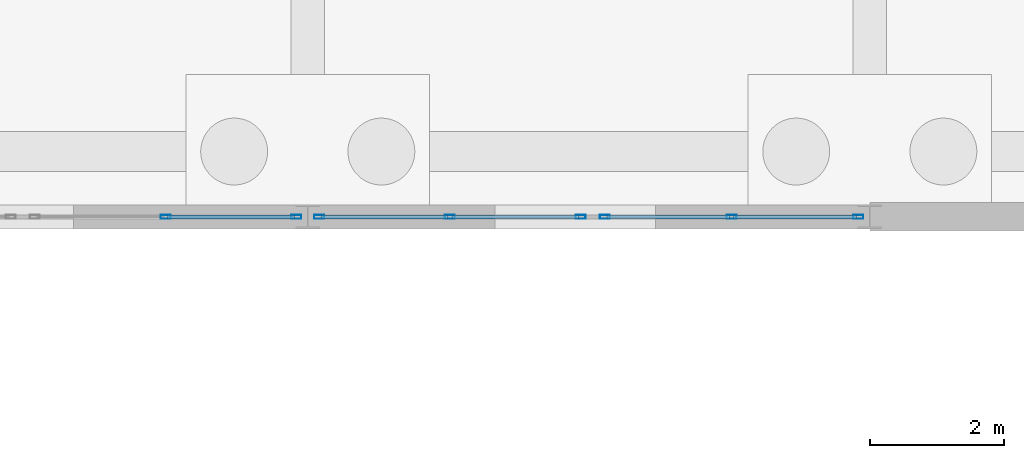
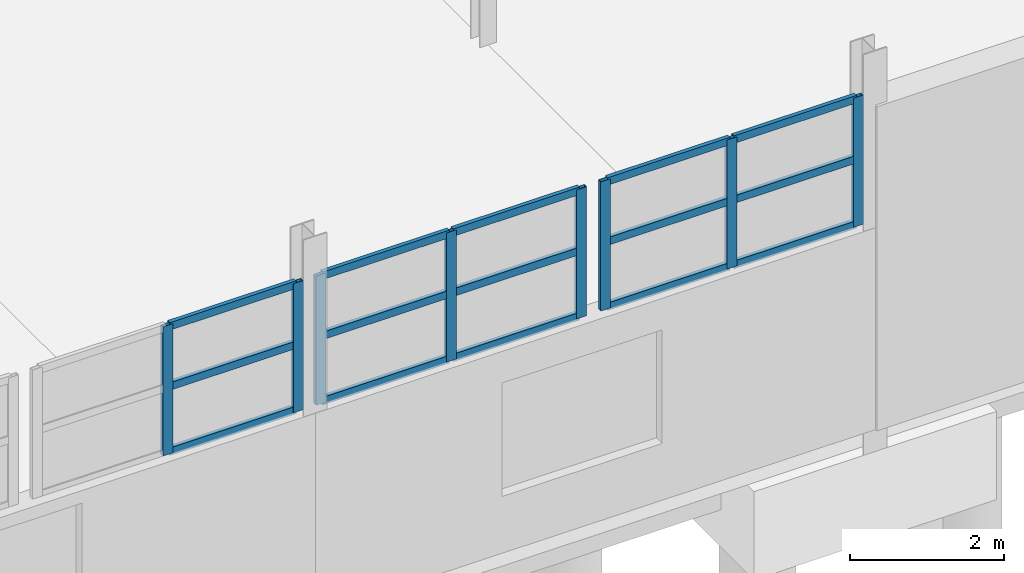
# One storey, part 82 of 139: 23 members, 3 elements without a shape of their own.
"""IFC4 building model written with IfcOpenShell, lengths in metres."""

from ifc_helpers import new_model, si_unit, direction, frame, origin, origin_2d, place, context, subcontext, project, spatial, hollow_rectangle, extrude, material, material_profile, profile_set, type_object, element, aggregate, save


model = new_model("IFC4")

# Units and contexts
model_context = context("Model", 3, precision=1e-05, world=origin(), true_north=direction((0.0, 1.0)))
body_context = subcontext(model_context, "Body", "Model", "MODEL_VIEW")
ifc_project = project(units=[si_unit("LENGTHUNIT", "METRE"), si_unit("AREAUNIT", "SQUARE_METRE"), si_unit("VOLUMEUNIT", "CUBIC_METRE"), si_unit("PLANEANGLEUNIT", "RADIAN"), si_unit("MASSUNIT", "GRAM", prefix="KILO")], contexts=[model_context])

# Site, building, storey
site_placement = place(None, origin())
site = spatial("IfcSite", under=ifc_project, at=site_placement, CompositionType="ELEMENT")
building_placement = place(site_placement, origin())
building = spatial("IfcBuilding", under=site, at=building_placement, Name="Kazenagashi Tramway Depot", CompositionType="ELEMENT")
storey_placement = place(building_placement, origin())
storey = spatial("IfcBuildingStorey", under=building, at=storey_placement, Name="L01", CompositionType="ELEMENT", Elevation=0.0)

# Curtain wall, members
ifc_material_1 = material(Name="Anodised Aluminium and Low-E Glazing", Category="aluminium")
curtain_wall_type_1 = type_object("IfcCurtainWallType", Name="CW-13", PredefinedType="USERDEFINED", material=ifc_material_1)
curtain_wall_1_placement = place(storey_placement, origin())
curtain_wall_1 = element("IfcCurtainWall", 1, at=curtain_wall_1_placement, inside=storey, type_object=curtain_wall_type_1, Name="Industrial Glazed Screen CW-13 CW-0035", ObjectType="GLAZED SCREEN", PredefinedType="USERDEFINED")
ifc_material_2 = material(Name="Anodised Aluminium", Category="aluminium")
ifc_material_profile_1 = material_profile(ifc_material_2, hollow_rectangle(XDim=0.06, YDim=0.15, WallThickness=0.004, at=origin_2d()), Name="RHS-150x60x4")
ifc_profile_set_1 = profile_set([ifc_material_profile_1], Name="Anodised Aluminium")
member_type_1 = type_object("IfcMemberType", Name="ML-01", PredefinedType="MULLION", material=ifc_profile_set_1)
member_1_placement = place(storey_placement, frame((126.675, 70.0, 3.2), z_axis=(0.0, 0.0, 1.0), x_axis=(0.0, 1.0, 0.0)))
member_1 = element("IfcMember", 2, at=member_1_placement, type_object=member_type_1, Name="CW-13 mullion 2", PredefinedType="MULLION", context=body_context, shape_type="SweptSolid", body=[
    extrude(hollow_rectangle(XDim=0.06, YDim=0.15, WallThickness=0.004, at=origin_2d()), origin(), (0.0, 0.0, 1.0), 2.047),
])
member_2_placement = place(storey_placement, frame((128.63, 70.0, 3.2), z_axis=(0.0, 0.0, 1.0), x_axis=(0.0, 1.0, 0.0)))
member_2 = element("IfcMember", 3, at=member_2_placement, type_object=member_type_1, Name="CW-13 mullion 3", PredefinedType="MULLION", context=body_context, shape_type="SweptSolid", body=[
    extrude(hollow_rectangle(XDim=0.06, YDim=0.15, WallThickness=0.004, at=origin_2d()), origin(), (0.0, 0.0, 1.0), 2.047),
])

curtain_wall_2_placement = place(storey_placement, origin())
curtain_wall_2 = element("IfcCurtainWall", 4, at=curtain_wall_2_placement, inside=storey, type_object=curtain_wall_type_1, Name="Industrial Glazed Screen CW-13 CW-0037", ObjectType="GLAZED SCREEN", PredefinedType="USERDEFINED")
member_3_placement = place(storey_placement, frame((128.97, 70.0, 3.2), z_axis=(0.0, 0.0, 1.0), x_axis=(0.0, 1.0, 0.0)))
member_3 = element("IfcMember", 5, at=member_3_placement, type_object=member_type_1, Name="CW-13 mullion 1", PredefinedType="MULLION", context=body_context, shape_type="SweptSolid", body=[
    extrude(hollow_rectangle(XDim=0.06, YDim=0.15, WallThickness=0.004, at=origin_2d()), origin(), (0.0, 0.0, 1.0), 2.047),
])
member_4_placement = place(storey_placement, frame((130.925, 70.0, 3.2), z_axis=(0.0, 0.0, 1.0), x_axis=(0.0, 1.0, 0.0)))
member_4 = element("IfcMember", 6, at=member_4_placement, type_object=member_type_1, Name="CW-13 mullion 2", PredefinedType="MULLION", context=body_context, shape_type="SweptSolid", body=[
    extrude(hollow_rectangle(XDim=0.06, YDim=0.15, WallThickness=0.004, at=origin_2d()), origin(), (0.0, 0.0, 1.0), 2.047),
])
member_5_placement = place(storey_placement, frame((132.88, 70.0, 3.2), z_axis=(0.0, 0.0, 1.0), x_axis=(0.0, 1.0, 0.0)))
member_5 = element("IfcMember", 7, at=member_5_placement, type_object=member_type_1, Name="CW-13 mullion 3", PredefinedType="MULLION", context=body_context, shape_type="SweptSolid", body=[
    extrude(hollow_rectangle(XDim=0.06, YDim=0.15, WallThickness=0.004, at=origin_2d()), origin(), (0.0, 0.0, 1.0), 2.047),
])

curtain_wall_type_2 = type_object("IfcCurtainWallType", Name="CW-12", PredefinedType="USERDEFINED", material=ifc_material_1)
curtain_wall_3_placement = place(storey_placement, origin())
curtain_wall_3 = element("IfcCurtainWall", 8, at=curtain_wall_3_placement, inside=storey, type_object=curtain_wall_type_2, Name="Industrial Glazed Screen CW-12 CW-0038", ObjectType="GLAZED SCREEN", PredefinedType="USERDEFINED")
member_6_placement = place(storey_placement, frame((133.24, 70.0, 3.2), z_axis=(0.0, 0.0, 1.0), x_axis=(0.0, 1.0, 0.0)))
member_6 = element("IfcMember", 9, at=member_6_placement, type_object=member_type_1, Name="CW-12 mullion 1", PredefinedType="MULLION", context=body_context, shape_type="SweptSolid", body=[
    extrude(hollow_rectangle(XDim=0.06, YDim=0.15, WallThickness=0.004, at=origin_2d()), origin(), (0.0, 0.0, 1.0), 2.047),
])
member_7_placement = place(storey_placement, frame((135.135, 70.0, 3.2), z_axis=(0.0, 0.0, 1.0), x_axis=(0.0, 1.0, 0.0)))
member_7 = element("IfcMember", 10, at=member_7_placement, type_object=member_type_1, Name="CW-12 mullion 2", PredefinedType="MULLION", context=body_context, shape_type="SweptSolid", body=[
    extrude(hollow_rectangle(XDim=0.06, YDim=0.15, WallThickness=0.004, at=origin_2d()), origin(), (0.0, 0.0, 1.0), 2.047),
])
member_8_placement = place(storey_placement, frame((137.03, 70.0, 3.2), z_axis=(0.0, 0.0, 1.0), x_axis=(0.0, 1.0, 0.0)))
member_8 = element("IfcMember", 11, at=member_8_placement, type_object=member_type_1, Name="CW-12 mullion 3", PredefinedType="MULLION", context=body_context, shape_type="SweptSolid", body=[
    extrude(hollow_rectangle(XDim=0.06, YDim=0.15, WallThickness=0.004, at=origin_2d()), origin(), (0.0, 0.0, 1.0), 2.047),
])

# Member
ifc_material_profile_2 = material_profile(ifc_material_2, hollow_rectangle(XDim=0.06, YDim=0.12, WallThickness=0.004, at=origin_2d()), Name="RHS-120x60x4")
ifc_profile_set_2 = profile_set([ifc_material_profile_2], Name="Anodised Aluminium")
member_type_2 = type_object("IfcMemberType", Name="TR-01", PredefinedType="USERDEFINED", material=ifc_profile_set_2)
member_9_placement = place(storey_placement, frame((126.705, 70.0, 3.23), z_axis=(1.0, 0.0, 0.0), x_axis=(0.0, 1.0, 0.0)))
member_9 = element("IfcMember", 12, at=member_9_placement, type_object=member_type_2, Name="CW-13 transom 2.1", ObjectType="TRANSOM", PredefinedType="USERDEFINED", context=body_context, shape_type="SweptSolid", body=[
    extrude(hollow_rectangle(XDim=0.06, YDim=0.12, WallThickness=0.004, at=origin_2d()), origin(), (0.0, 0.0, 1.0), 1.895),
])

member_10_placement = place(storey_placement, frame((126.705, 70.0, 4.264), z_axis=(1.0, 0.0, 0.0), x_axis=(0.0, 1.0, 0.0)))
member_10 = element("IfcMember", 13, at=member_10_placement, type_object=member_type_2, Name="CW-13 transom 2.2", ObjectType="TRANSOM", PredefinedType="USERDEFINED", context=body_context, shape_type="SweptSolid", body=[
    extrude(hollow_rectangle(XDim=0.06, YDim=0.12, WallThickness=0.004, at=origin_2d()), origin(), (0.0, 0.0, 1.0), 1.895),
])

member_11_placement = place(storey_placement, frame((126.705, 70.0, 5.217), z_axis=(1.0, 0.0, 0.0), x_axis=(0.0, 1.0, 0.0)))
member_11 = element("IfcMember", 14, at=member_11_placement, type_object=member_type_2, Name="CW-13 transom 2.3", ObjectType="TRANSOM", PredefinedType="USERDEFINED", context=body_context, shape_type="SweptSolid", body=[
    extrude(hollow_rectangle(XDim=0.06, YDim=0.12, WallThickness=0.004, at=origin_2d()), origin(), (0.0, 0.0, 1.0), 1.895),
])

aggregate(curtain_wall_1, [member_1, member_2, member_9, member_10, member_11])

member_12_placement = place(storey_placement, frame((129.0, 70.0, 3.23), z_axis=(1.0, 0.0, 0.0), x_axis=(0.0, 1.0, 0.0)))
member_12 = element("IfcMember", 15, at=member_12_placement, type_object=member_type_2, Name="CW-13 transom 1.1", ObjectType="TRANSOM", PredefinedType="USERDEFINED", context=body_context, shape_type="SweptSolid", body=[
    extrude(hollow_rectangle(XDim=0.06, YDim=0.12, WallThickness=0.004, at=origin_2d()), origin(), (0.0, 0.0, 1.0), 1.895),
])

member_13_placement = place(storey_placement, frame((129.0, 70.0, 4.264), z_axis=(1.0, 0.0, 0.0), x_axis=(0.0, 1.0, 0.0)))
member_13 = element("IfcMember", 16, at=member_13_placement, type_object=member_type_2, Name="CW-13 transom 1.2", ObjectType="TRANSOM", PredefinedType="USERDEFINED", context=body_context, shape_type="SweptSolid", body=[
    extrude(hollow_rectangle(XDim=0.06, YDim=0.12, WallThickness=0.004, at=origin_2d()), origin(), (0.0, 0.0, 1.0), 1.895),
])

member_14_placement = place(storey_placement, frame((129.0, 70.0, 5.217), z_axis=(1.0, 0.0, 0.0), x_axis=(0.0, 1.0, 0.0)))
member_14 = element("IfcMember", 17, at=member_14_placement, type_object=member_type_2, Name="CW-13 transom 1.3", ObjectType="TRANSOM", PredefinedType="USERDEFINED", context=body_context, shape_type="SweptSolid", body=[
    extrude(hollow_rectangle(XDim=0.06, YDim=0.12, WallThickness=0.004, at=origin_2d()), origin(), (0.0, 0.0, 1.0), 1.895),
])

member_15_placement = place(storey_placement, frame((130.955, 70.0, 3.23), z_axis=(1.0, 0.0, 0.0), x_axis=(0.0, 1.0, 0.0)))
member_15 = element("IfcMember", 18, at=member_15_placement, type_object=member_type_2, Name="CW-13 transom 2.1", ObjectType="TRANSOM", PredefinedType="USERDEFINED", context=body_context, shape_type="SweptSolid", body=[
    extrude(hollow_rectangle(XDim=0.06, YDim=0.12, WallThickness=0.004, at=origin_2d()), origin(), (0.0, 0.0, 1.0), 1.895),
])

member_16_placement = place(storey_placement, frame((130.955, 70.0, 4.264), z_axis=(1.0, 0.0, 0.0), x_axis=(0.0, 1.0, 0.0)))
member_16 = element("IfcMember", 19, at=member_16_placement, type_object=member_type_2, Name="CW-13 transom 2.2", ObjectType="TRANSOM", PredefinedType="USERDEFINED", context=body_context, shape_type="SweptSolid", body=[
    extrude(hollow_rectangle(XDim=0.06, YDim=0.12, WallThickness=0.004, at=origin_2d()), origin(), (0.0, 0.0, 1.0), 1.895),
])

member_17_placement = place(storey_placement, frame((130.955, 70.0, 5.217), z_axis=(1.0, 0.0, 0.0), x_axis=(0.0, 1.0, 0.0)))
member_17 = element("IfcMember", 20, at=member_17_placement, type_object=member_type_2, Name="CW-13 transom 2.3", ObjectType="TRANSOM", PredefinedType="USERDEFINED", context=body_context, shape_type="SweptSolid", body=[
    extrude(hollow_rectangle(XDim=0.06, YDim=0.12, WallThickness=0.004, at=origin_2d()), origin(), (0.0, 0.0, 1.0), 1.895),
])

aggregate(curtain_wall_2, [member_3, member_4, member_5, member_12, member_13, member_14, member_15, member_16, member_17])

member_18_placement = place(storey_placement, frame((133.27, 70.0, 3.23), z_axis=(1.0, 0.0, 0.0), x_axis=(0.0, 1.0, 0.0)))
member_18 = element("IfcMember", 21, at=member_18_placement, type_object=member_type_2, Name="CW-12 transom 1.1", ObjectType="TRANSOM", PredefinedType="USERDEFINED", context=body_context, shape_type="SweptSolid", body=[
    extrude(hollow_rectangle(XDim=0.06, YDim=0.12, WallThickness=0.004, at=origin_2d()), origin(), (0.0, 0.0, 1.0), 1.835),
])

member_19_placement = place(storey_placement, frame((133.27, 70.0, 4.264), z_axis=(1.0, 0.0, 0.0), x_axis=(0.0, 1.0, 0.0)))
member_19 = element("IfcMember", 22, at=member_19_placement, type_object=member_type_2, Name="CW-12 transom 1.2", ObjectType="TRANSOM", PredefinedType="USERDEFINED", context=body_context, shape_type="SweptSolid", body=[
    extrude(hollow_rectangle(XDim=0.06, YDim=0.12, WallThickness=0.004, at=origin_2d()), origin(), (0.0, 0.0, 1.0), 1.835),
])

member_20_placement = place(storey_placement, frame((133.27, 70.0, 5.217), z_axis=(1.0, 0.0, 0.0), x_axis=(0.0, 1.0, 0.0)))
member_20 = element("IfcMember", 23, at=member_20_placement, type_object=member_type_2, Name="CW-12 transom 1.3", ObjectType="TRANSOM", PredefinedType="USERDEFINED", context=body_context, shape_type="SweptSolid", body=[
    extrude(hollow_rectangle(XDim=0.06, YDim=0.12, WallThickness=0.004, at=origin_2d()), origin(), (0.0, 0.0, 1.0), 1.835),
])

member_21_placement = place(storey_placement, frame((135.165, 70.0, 3.23), z_axis=(1.0, 0.0, 0.0), x_axis=(0.0, 1.0, 0.0)))
member_21 = element("IfcMember", 24, at=member_21_placement, type_object=member_type_2, Name="CW-12 transom 2.1", ObjectType="TRANSOM", PredefinedType="USERDEFINED", context=body_context, shape_type="SweptSolid", body=[
    extrude(hollow_rectangle(XDim=0.06, YDim=0.12, WallThickness=0.004, at=origin_2d()), origin(), (0.0, 0.0, 1.0), 1.835),
])

member_22_placement = place(storey_placement, frame((135.165, 70.0, 4.264), z_axis=(1.0, 0.0, 0.0), x_axis=(0.0, 1.0, 0.0)))
member_22 = element("IfcMember", 25, at=member_22_placement, type_object=member_type_2, Name="CW-12 transom 2.2", ObjectType="TRANSOM", PredefinedType="USERDEFINED", context=body_context, shape_type="SweptSolid", body=[
    extrude(hollow_rectangle(XDim=0.06, YDim=0.12, WallThickness=0.004, at=origin_2d()), origin(), (0.0, 0.0, 1.0), 1.835),
])

member_23_placement = place(storey_placement, frame((135.165, 70.0, 5.217), z_axis=(1.0, 0.0, 0.0), x_axis=(0.0, 1.0, 0.0)))
member_23 = element("IfcMember", 26, at=member_23_placement, type_object=member_type_2, Name="CW-12 transom 2.3", ObjectType="TRANSOM", PredefinedType="USERDEFINED", context=body_context, shape_type="SweptSolid", body=[
    extrude(hollow_rectangle(XDim=0.06, YDim=0.12, WallThickness=0.004, at=origin_2d()), origin(), (0.0, 0.0, 1.0), 1.835),
])

aggregate(curtain_wall_3, [member_6, member_7, member_8, member_18, member_19, member_20, member_21, member_22, member_23])

save(model, "model.ifc")
